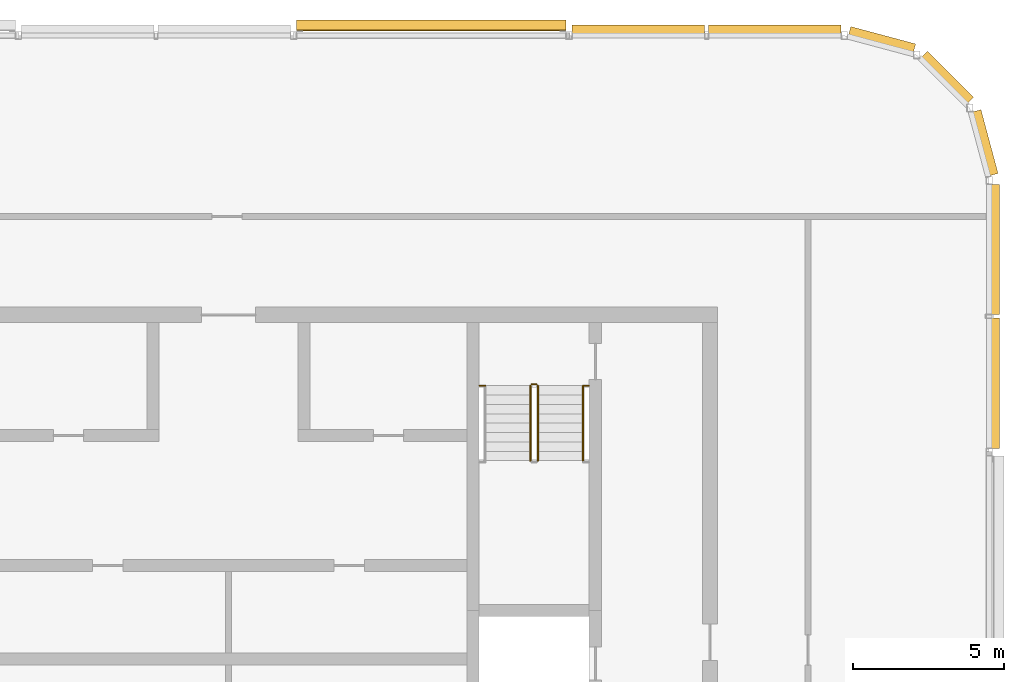
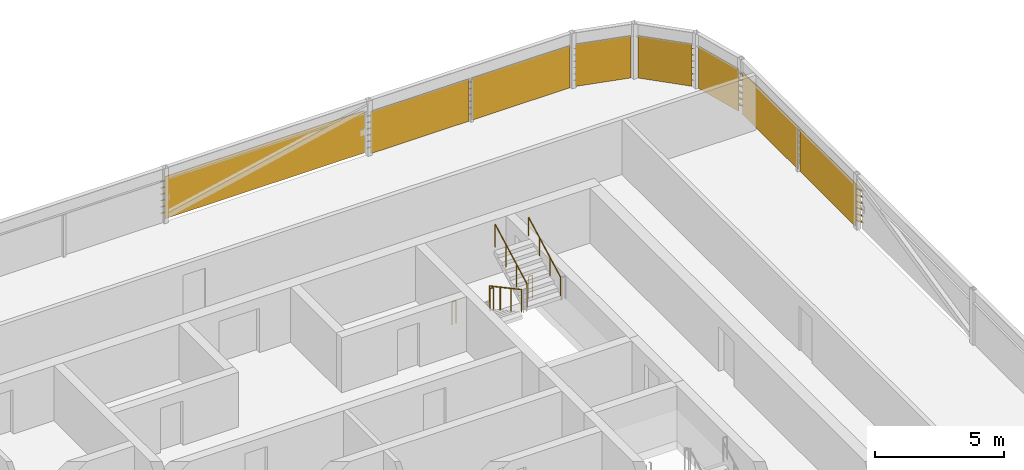
# One storey, part 27 of 27: 8 shading devices, 6 railings.
"""IFC4 building model written with IfcOpenShell, lengths in metres."""

import ifcopenshell
import ifcopenshell.guid

model = None  # the IFC model being written
_history = None  # IfcOwnerHistory: only IFC2X3 demands one
_inside = {}  # id of a spatial element -> (the spatial element, [elements in it])
_under = {}  # id of a project, library or spatial element -> (it, [spatial elements below it])
_declared = {}  # id of a project -> (the project, [libraries it declares])
_typed = {}  # id of a type object -> (the type object, [elements of that type])
_made_of = {}  # id of a material, layer set ... -> (it, [elements and type objects made of it])


def new_model(schema):
    """Start an empty IFC model of exactly this schema.

    Asked for "IFC4X3", IfcOpenShell would pick the latest addendum, in which some entities
    have other attributes; the version numbers below select the first issue.
    IFC2X3 requires an IfcOwnerHistory on every rooted entity: one is made here for all.
    """
    global model, _history
    if schema == "IFC4X3":
        model = ifcopenshell.file(schema_version=(4, 3, 0, 0))
    else:
        model = ifcopenshell.file(schema=schema)
    _inside.clear()
    _under.clear()
    _declared.clear()
    _typed.clear()
    _made_of.clear()
    _history = None
    if model.schema == "IFC2X3":
        org = make("IfcOrganization", Name="unknown")
        user = make(
            "IfcPersonAndOrganization",
            ThePerson=make("IfcPerson", FamilyName="unknown"),
            TheOrganization=org,
        )
        app = make(
            "IfcApplication",
            ApplicationDeveloper=org,
            Version="unknown",
            ApplicationFullName="unknown",
            ApplicationIdentifier="unknown",
        )
        _history = make(
            "IfcOwnerHistory",
            OwningUser=user,
            OwningApplication=app,
            ChangeAction="ADDED",
            CreationDate=0,
        )
    return model


def make(cls, **values):
    """One entity of the class cls with the attributes given. An attribute that is None is left unset."""
    return model.create_entity(
        cls, **{name: value for name, value in values.items() if value is not None}
    )


def rooted(cls, **values):
    """An entity with a GlobalId (a new one), such as an element, a storey or a relation."""
    return make(cls, GlobalId=ifcopenshell.guid.new(), OwnerHistory=_history, **values)


def si_unit(unit_type, name, prefix=None):
    """IfcSIUnit, for example si_unit("LENGTHUNIT", "METRE", prefix="MILLI")."""
    return make("IfcSIUnit", UnitType=unit_type, Prefix=prefix, Name=name)


def assignment(units):
    """IfcUnitAssignment: the units of a project."""
    return None if units is None else make("IfcUnitAssignment", Units=units)


def point(xyz):
    """IfcCartesianPoint."""
    return None if xyz is None else make("IfcCartesianPoint", Coordinates=xyz)


def direction(xyz):
    """IfcDirection."""
    return None if xyz is None else make("IfcDirection", DirectionRatios=xyz)


def frame(location, z_axis=None, x_axis=None):
    """IfcAxis2Placement3D, a coordinate frame: its origin and axes. An axis left out is left unset."""
    return make(
        "IfcAxis2Placement3D",
        Location=point(location),
        Axis=direction(z_axis),
        RefDirection=direction(x_axis),
    )


def frame_2d(location, x_axis=None):
    """IfcAxis2Placement2D, a coordinate frame in the plane: its origin and x axis."""
    return make(
        "IfcAxis2Placement2D", Location=point(location), RefDirection=direction(x_axis)
    )


def origin():
    """The frame at (0, 0, 0) with its axes left unset."""
    return frame((0.0, 0.0, 0.0))


def origin_2d():
    """The frame at (0, 0) in the plane with its x axis left unset."""
    return frame_2d((0.0, 0.0))


def place(relative_to, where):
    """IfcLocalPlacement: puts the frame where relative to a parent placement (None: the world)."""
    return make(
        "IfcLocalPlacement", PlacementRelTo=relative_to, RelativePlacement=where
    )


def context(
    kind, dimensions, precision=None, world=None, true_north=None, identifier=None
):
    """IfcGeometricRepresentationContext, for example the 3D "Model" context."""
    return make(
        "IfcGeometricRepresentationContext",
        ContextIdentifier=identifier,
        ContextType=kind,
        CoordinateSpaceDimension=dimensions,
        Precision=precision,
        WorldCoordinateSystem=world,
        TrueNorth=true_north,
    )


def subcontext(parent, identifier, kind, view, scale=None):
    """IfcGeometricRepresentationSubContext, for example "Body" below "Model"."""
    return make(
        "IfcGeometricRepresentationSubContext",
        ContextIdentifier=identifier,
        ContextType=kind,
        ParentContext=parent,
        TargetScale=scale,
        TargetView=view,
    )


def project(units=None, contexts=None):
    """IfcProject with its units and contexts."""
    return rooted(
        "IfcProject",
        Name="project",
        RepresentationContexts=contexts,
        UnitsInContext=assignment(units),
    )


def spatial(cls, under=None, at=None, **own):
    """A site, building, storey or space (cls), placed at a placement, below another one or the project."""
    s = rooted(cls, ObjectPlacement=at, **own)
    if under is not None:
        _under.setdefault(under.id(), (under, []))[1].append(s)
    return s


def polyline(points):
    """IfcPolyline through the points."""
    return make("IfcPolyline", Points=[point(p) for p in points])


def profile(cls, at=None, kind="AREA", **sizes):
    """A parametric profile (cls). Its sizes go by their IFC names, for example OverallWidth=200.0."""
    return make(cls, ProfileType=kind, Position=at, **sizes)


def circle(**sizes):
    """IfcCircleProfileDef."""
    return profile("IfcCircleProfileDef", **sizes)


def outline(outer, holes=None, kind="AREA"):
    """IfcArbitraryClosedProfileDef: a profile drawn as a closed curve; with holes, ...WithVoids."""
    if holes is None:
        return make("IfcArbitraryClosedProfileDef", ProfileType=kind, OuterCurve=outer)
    return make(
        "IfcArbitraryProfileDefWithVoids",
        ProfileType=kind,
        OuterCurve=outer,
        InnerCurves=holes,
    )


def extrude(swept, where, along, depth):
    """IfcExtrudedAreaSolid: the profile swept, set in the frame where, extruded along a direction by depth."""
    return make(
        "IfcExtrudedAreaSolid",
        SweptArea=swept,
        Position=where,
        ExtrudedDirection=direction(along),
        Depth=depth,
    )


def shape(context_of_items, identifier, shape_type, items):
    """IfcShapeRepresentation: the items that make up one representation, for example the "Body"."""
    return make(
        "IfcShapeRepresentation",
        ContextOfItems=context_of_items,
        RepresentationIdentifier=identifier,
        RepresentationType=shape_type,
        Items=items,
    )


def material(Name=None, Category=None):
    """IfcMaterial."""
    return make("IfcMaterial", Name=Name, Category=Category)


def made_of(thing, what):
    """Note that an element or type object is made of a material, layer set ...; save() writes the relation."""
    if what is not None:
        _made_of.setdefault(what.id(), (what, []))[1].append(thing)
    return thing


def type_object(cls, material=None, **own):
    """A type object (cls), such as IfcWallType, which elements share."""
    return made_of(rooted(cls, **own), material)


def element(
    cls,
    number,
    at=None,
    inside=None,
    cuts=None,
    type_object=None,
    material=None,
    context=None,
    identifier="Body",
    shape_type=None,
    held_by="IfcProductDefinitionShape",
    body=None,
    shapes=None,
    **own,
):
    """One element of the class cls, such as IfcWall. Its Tag is "e" and its number.

    at: its placement. inside: the storey or other place that contains it. cuts: it is an
    opening in that element (IfcRelVoidsElement). A single representation is given by context,
    identifier, shape_type and body (its items); several are given by shapes. held_by: the class
    of the entity that holds the representations. save() writes the other relations.
    """
    e = rooted(cls, Tag="e%d" % number, ObjectPlacement=at, **own)
    if body is not None:
        shapes = [shape(context, identifier, shape_type, body)]
    if shapes is not None:
        e.Representation = make(held_by, Representations=shapes)
    if inside is not None:
        _inside.setdefault(inside.id(), (inside, []))[1].append(e)
    if cuts is not None:
        rooted(
            "IfcRelVoidsElement", RelatingBuildingElement=cuts, RelatedOpeningElement=e
        )
    if type_object is not None:
        _typed.setdefault(type_object.id(), (type_object, []))[1].append(e)
    return made_of(e, material)


def aggregate(whole, parts):
    """IfcRelAggregates: a whole, such as a stair, and the parts it consists of."""
    return rooted("IfcRelAggregates", RelatingObject=whole, RelatedObjects=parts)


def save(model, path):
    """Write the relations noted so far, then the file.

    IfcRelAggregates (storeys below a building ...), IfcRelContainedInSpatialStructure (elements
    in a storey), IfcRelDefinesByType, IfcRelAssociatesMaterial and IfcRelDeclares: one each for
    every whole, place, type object, material and project.
    """
    for whole, parts in _under.values():
        aggregate(whole, parts)
    for where, things in _inside.values():
        rooted(
            "IfcRelContainedInSpatialStructure",
            RelatedElements=things,
            RelatingStructure=where,
        )
    for kind, things in _typed.values():
        rooted("IfcRelDefinesByType", RelatedObjects=things, RelatingType=kind)
    for what, things in _made_of.values():
        rooted("IfcRelAssociatesMaterial", RelatedObjects=things, RelatingMaterial=what)
    for by, libraries in _declared.values():
        rooted("IfcRelDeclares", RelatingContext=by, RelatedDefinitions=libraries)
    model.write(path)


model = new_model("IFC4")

# Units and contexts
model_context = context("Model", 3, precision=1e-05, world=origin(), true_north=direction((0.0, 1.0)))
body_context = subcontext(model_context, "Body", "Model", "MODEL_VIEW")
ifc_project = project(units=[si_unit("LENGTHUNIT", "METRE"), si_unit("AREAUNIT", "SQUARE_METRE"), si_unit("VOLUMEUNIT", "CUBIC_METRE"), si_unit("PLANEANGLEUNIT", "RADIAN"), si_unit("MASSUNIT", "GRAM", prefix="KILO")], contexts=[model_context])

# Site, building, storey
site_placement = place(None, origin())
site = spatial("IfcSite", under=ifc_project, at=site_placement, CompositionType="ELEMENT")
building_placement = place(site_placement, origin())
building = spatial("IfcBuilding", under=site, at=building_placement, Name="Madar Terraces", CompositionType="ELEMENT")
storey_placement = place(building_placement, frame((0.0, 0.0, 314.300048828125)))
storey = spatial("IfcBuildingStorey", under=building, at=storey_placement, Name="L81", CompositionType="ELEMENT", Elevation=314.300048828125)

# Shading devices
ifc_material_1 = material(Name="Aluminium, black anodised", Category="aluminium")
shading_device_type = type_object("IfcShadingDeviceType", Name="Crown louvre bank", PredefinedType="USERDEFINED", material=ifc_material_1)
for number, where, z_axis, x_axis, name in (
    (1, (56.39990234375, 33.126953125, 0.0), (0.0, 1.0, 0.0), (-1.0, 0.0, 0.0), "LOUVRE bank L81 12.1"),
    (2, (56.39990234375, 37.5634765625, 0.0), (0.0, 1.0, 0.0), (-1.0, 0.0, 0.0), "LOUVRE bank L81 12.2"),
):
    element("IfcShadingDevice", number, at=place(storey_placement, frame(where, z_axis=z_axis, x_axis=x_axis)), inside=storey, type_object=shading_device_type, Name=name, ObjectType="LOUVRE", PredefinedType="USERDEFINED", context=body_context, shape_type="SweptSolid", body=[
        extrude(outline(polyline([(0.014892578125, 0.0), (-0.014892578125, 0.0), (-0.014892578125, 0.24951171875), (-0.3427734375, 0.02001953125), (-0.3427734375, 0.06884765625), (-0.014892578125, 0.29833984375), (-0.014892578125, 0.54931640625), (-0.3427734375, 0.320068359375), (-0.3427734375, 0.368896484375), (-0.014892578125, 0.59814453125), (-0.014892578125, 0.849365234375), (-0.3427734375, 0.6201171875), (-0.3427734375, 0.6689453125), (-0.014892578125, 0.898193359375), (-0.014892578125, 1.1494140625), (-0.3427734375, 0.919921875), (-0.3427734375, 0.96875), (-0.014892578125, 1.1982421875), (-0.014892578125, 1.449462890625), (-0.3427734375, 1.219970703125), (-0.3427734375, 1.268798828125), (-0.014892578125, 1.498291015625), (-0.014892578125, 1.74951171875), (-0.3427734375, 1.52001953125), (-0.3427734375, 1.56884765625), (-0.014892578125, 1.79833984375), (-0.014892578125, 1.998046875), (0.014892578125, 1.998046875), (0.014892578125, 0.0)])), origin(), (0.0, 0.0, 1.0), 4.3095703125),
    ])
shading_device_1_placement = place(storey_placement, frame((56.361328125, 42.143798828125, 0.0), z_axis=(-0.258788169352, 0.965934098893, 0.0), x_axis=(-0.965934098893, -0.258788169352, 0.0)))
element("IfcShadingDevice", 3, at=shading_device_1_placement, inside=storey, type_object=shading_device_type, Name="LOUVRE bank L81 13.1", ObjectType="LOUVRE", PredefinedType="USERDEFINED", context=body_context, shape_type="SweptSolid", body=[
    extrude(outline(polyline([(0.014892578125, 0.0), (-0.014892578125, 0.0), (-0.014892578125, 0.24951171875), (-0.3427734375, 0.02001953125), (-0.3427734375, 0.06884765625), (-0.014892578125, 0.29833984375), (-0.014892578125, 0.54931640625), (-0.3427734375, 0.320068359375), (-0.3427734375, 0.368896484375), (-0.014892578125, 0.59814453125), (-0.014892578125, 0.849365234375), (-0.3427734375, 0.6201171875), (-0.3427734375, 0.6689453125), (-0.014892578125, 0.898193359375), (-0.014892578125, 1.1494140625), (-0.3427734375, 0.919921875), (-0.3427734375, 0.96875), (-0.014892578125, 1.1982421875), (-0.014892578125, 1.449462890625), (-0.3427734375, 1.219970703125), (-0.3427734375, 1.268798828125), (-0.014892578125, 1.498291015625), (-0.014892578125, 1.74951171875), (-0.3427734375, 1.52001953125), (-0.3427734375, 1.56884765625), (-0.014892578125, 1.79833984375), (-0.014892578125, 1.998046875), (0.014892578125, 1.998046875), (0.014892578125, 0.0)])), origin(), (0.0, 0.0, 1.0), 2.186767578125),
])
shading_device_2_placement = place(storey_placement, frame((55.642578125, 44.514404296875, 0.0), z_axis=(-0.707106781187, 0.707106781187, 0.0), x_axis=(-0.707106781187, -0.707106781187, 0.0)))
element("IfcShadingDevice", 4, at=shading_device_2_placement, inside=storey, type_object=shading_device_type, Name="LOUVRE bank L81 14.1", ObjectType="LOUVRE", PredefinedType="USERDEFINED", context=body_context, shape_type="SweptSolid", body=[
    extrude(outline(polyline([(0.014892578125, 0.0), (-0.014892578125, 0.0), (-0.014892578125, 0.24951171875), (-0.3427734375, 0.02001953125), (-0.3427734375, 0.06884765625), (-0.014892578125, 0.29833984375), (-0.014892578125, 0.54931640625), (-0.3427734375, 0.320068359375), (-0.3427734375, 0.368896484375), (-0.014892578125, 0.59814453125), (-0.014892578125, 0.849365234375), (-0.3427734375, 0.6201171875), (-0.3427734375, 0.6689453125), (-0.014892578125, 0.898193359375), (-0.014892578125, 1.1494140625), (-0.3427734375, 0.919921875), (-0.3427734375, 0.96875), (-0.014892578125, 1.1982421875), (-0.014892578125, 1.449462890625), (-0.3427734375, 1.219970703125), (-0.3427734375, 1.268798828125), (-0.014892578125, 1.498291015625), (-0.014892578125, 1.74951171875), (-0.3427734375, 1.52001953125), (-0.3427734375, 1.56884765625), (-0.014892578125, 1.79833984375), (-0.014892578125, 1.998046875), (0.014892578125, 1.998046875), (0.014892578125, 0.0)])), origin(), (0.0, 0.0, 1.0), 2.161376953125),
])
shading_device_3_placement = place(storey_placement, frame((53.87353515625, 46.19091796875, 0.0), z_axis=(-0.965935304808, 0.258783668197, 0.0), x_axis=(-0.258783668197, -0.965935304808, 0.0)))
element("IfcShadingDevice", 5, at=shading_device_3_placement, inside=storey, type_object=shading_device_type, Name="LOUVRE bank L81 15.1", ObjectType="LOUVRE", PredefinedType="USERDEFINED", context=body_context, shape_type="SweptSolid", body=[
    extrude(outline(polyline([(0.014892578125, 0.0), (-0.014892578125, 0.0), (-0.014892578125, 0.24951171875), (-0.3427734375, 0.02001953125), (-0.3427734375, 0.06884765625), (-0.014892578125, 0.29833984375), (-0.014892578125, 0.54931640625), (-0.3427734375, 0.320068359375), (-0.3427734375, 0.368896484375), (-0.014892578125, 0.59814453125), (-0.014892578125, 0.849365234375), (-0.3427734375, 0.6201171875), (-0.3427734375, 0.6689453125), (-0.014892578125, 0.898193359375), (-0.014892578125, 1.1494140625), (-0.3427734375, 0.919921875), (-0.3427734375, 0.96875), (-0.014892578125, 1.1982421875), (-0.014892578125, 1.449462890625), (-0.3427734375, 1.219970703125), (-0.3427734375, 1.268798828125), (-0.014892578125, 1.498291015625), (-0.014892578125, 1.74951171875), (-0.3427734375, 1.52001953125), (-0.3427734375, 1.56884765625), (-0.014892578125, 1.79833984375), (-0.014892578125, 1.998046875), (0.014892578125, 1.998046875), (0.014892578125, 0.0)])), origin(), (0.0, 0.0, 1.0), 2.22265625),
])
shading_device_4_placement = place(storey_placement, frame((51.498291015625, 46.800048828125, 0.0), z_axis=(-1.0, 0.0, 0.0), x_axis=(0.0, -1.0, 0.0)))
element("IfcShadingDevice", 6, at=shading_device_4_placement, inside=storey, type_object=shading_device_type, Name="LOUVRE bank L81 16.1", ObjectType="LOUVRE", PredefinedType="USERDEFINED", context=body_context, shape_type="SweptSolid", body=[
    extrude(outline(polyline([(0.014892578125, 0.0), (-0.014892578125, 0.0), (-0.014892578125, 0.24951171875), (-0.3427734375, 0.02001953125), (-0.3427734375, 0.06884765625), (-0.014892578125, 0.29833984375), (-0.014892578125, 0.54931640625), (-0.3427734375, 0.320068359375), (-0.3427734375, 0.368896484375), (-0.014892578125, 0.59814453125), (-0.014892578125, 0.849365234375), (-0.3427734375, 0.6201171875), (-0.3427734375, 0.6689453125), (-0.014892578125, 0.898193359375), (-0.014892578125, 1.1494140625), (-0.3427734375, 0.919921875), (-0.3427734375, 0.96875), (-0.014892578125, 1.1982421875), (-0.014892578125, 1.449462890625), (-0.3427734375, 1.219970703125), (-0.3427734375, 1.268798828125), (-0.014892578125, 1.498291015625), (-0.014892578125, 1.74951171875), (-0.3427734375, 1.52001953125), (-0.3427734375, 1.56884765625), (-0.014892578125, 1.79833984375), (-0.014892578125, 1.998046875), (0.014892578125, 1.998046875), (0.014892578125, 0.0)])), origin(), (0.0, 0.0, 1.0), 4.394775390625),
])
shading_device_5_placement = place(storey_placement, frame((46.9765625, 46.800048828125, 0.0), z_axis=(-1.0, 0.0, 0.0), x_axis=(0.0, -1.0, 0.0)))
element("IfcShadingDevice", 7, at=shading_device_5_placement, inside=storey, type_object=shading_device_type, Name="LOUVRE bank L81 16.2", ObjectType="LOUVRE", PredefinedType="USERDEFINED", context=body_context, shape_type="SweptSolid", body=[
    extrude(outline(polyline([(0.014892578125, 0.0), (-0.014892578125, 0.0), (-0.014892578125, 0.24951171875), (-0.3427734375, 0.02001953125), (-0.3427734375, 0.06884765625), (-0.014892578125, 0.29833984375), (-0.014892578125, 0.54931640625), (-0.3427734375, 0.320068359375), (-0.3427734375, 0.368896484375), (-0.014892578125, 0.59814453125), (-0.014892578125, 0.849365234375), (-0.3427734375, 0.6201171875), (-0.3427734375, 0.6689453125), (-0.014892578125, 0.898193359375), (-0.014892578125, 1.1494140625), (-0.3427734375, 0.919921875), (-0.3427734375, 0.96875), (-0.014892578125, 1.1982421875), (-0.014892578125, 1.449462890625), (-0.3427734375, 1.219970703125), (-0.3427734375, 1.268798828125), (-0.014892578125, 1.498291015625), (-0.014892578125, 1.74951171875), (-0.3427734375, 1.52001953125), (-0.3427734375, 1.56884765625), (-0.014892578125, 1.79833984375), (-0.014892578125, 1.998046875), (0.014892578125, 1.998046875), (0.014892578125, 0.0)])), origin(), (0.0, 0.0, 1.0), 4.39501953125),
])
shading_device_6_placement = place(storey_placement, frame((42.37841796875, 46.800048828125, 0.0), z_axis=(-1.0, 0.0, 0.0), x_axis=(0.0, -1.0, 0.0)))
element("IfcShadingDevice", 8, at=shading_device_6_placement, inside=storey, type_object=shading_device_type, Name="LOUVRE bank L81 17.1", ObjectType="LOUVRE", PredefinedType="USERDEFINED", context=body_context, shape_type="SweptSolid", body=[
    extrude(outline(polyline([(-0.156982421875, 0.0), (-0.18701171875, 0.0), (-0.18701171875, 0.24951171875), (-0.5146484375, 0.02001953125), (-0.5146484375, 0.06884765625), (-0.18701171875, 0.29833984375), (-0.18701171875, 0.54931640625), (-0.5146484375, 0.320068359375), (-0.5146484375, 0.368896484375), (-0.18701171875, 0.59814453125), (-0.18701171875, 0.849365234375), (-0.5146484375, 0.6201171875), (-0.5146484375, 0.6689453125), (-0.18701171875, 0.898193359375), (-0.18701171875, 1.1494140625), (-0.5146484375, 0.919921875), (-0.5146484375, 0.96875), (-0.18701171875, 1.1982421875), (-0.18701171875, 1.449462890625), (-0.5146484375, 1.219970703125), (-0.5146484375, 1.268798828125), (-0.18701171875, 1.498291015625), (-0.18701171875, 1.74951171875), (-0.5146484375, 1.52001953125), (-0.5146484375, 1.56884765625), (-0.18701171875, 1.79833984375), (-0.18701171875, 1.998046875), (-0.156982421875, 1.998046875), (-0.156982421875, 0.0)])), origin(), (0.0, 0.0, 1.0), 8.916748046875),
])

# Railings
ifc_material_2 = material(Name="Stainless steel railing", Category="steel")
railing_type_1 = type_object("IfcRailingType", Name="Stair guard 1100", PredefinedType="GUARDRAIL", material=ifc_material_2)
railing_1_placement = place(storey_placement, frame((41.199951171875, 35.199951171875, 0.16650390625)))
element("IfcRailing", 9, at=railing_1_placement, inside=storey, type_object=railing_type_1, Name="L81 ST2 stair guard 1", PredefinedType="GUARDRAIL", context=body_context, shape_type="SweptSolid", body=[
    extrude(circle(Radius=0.02392578125, at=origin_2d()), frame((0.0, 0.0, 1.076171875), z_axis=(0.0, -0.880749358647, 0.473582693141), x_axis=(1.0, 0.0, 0.0)), (0.0, 0.0, 1.0), 2.815673828125),
    extrude(circle(Radius=0.02099609375, at=origin_2d()), origin(), (0.0, 0.0, 1.0), 1.052001953125),
    extrude(circle(Radius=0.02099609375, at=origin_2d()), frame((0.0, -0.82666015625, 0.444580078125)), (0.0, 0.0, 1.0), 1.052001953125),
    extrude(circle(Radius=0.02099609375, at=origin_2d()), frame((0.0, -1.6533203125, 0.888916015625)), (0.0, 0.0, 1.0), 1.052001953125),
    extrude(circle(Radius=0.02099609375, at=origin_2d()), frame((0.0, -2.47998046875, 1.33349609375)), (0.0, 0.0, 1.0), 1.052001953125),
])
railing_2_placement = place(storey_placement, frame((41.449951171875, 32.719970703125, 1.66650390625)))
element("IfcRailing", 10, at=railing_2_placement, inside=storey, type_object=railing_type_1, Name="L81 ST2 stair guard 3", PredefinedType="GUARDRAIL", context=body_context, shape_type="SweptSolid", body=[
    extrude(circle(Radius=0.02392578125, at=origin_2d()), frame((0.0, 0.0, 1.076171875), z_axis=(0.0, 0.880749358647, 0.473582693141), x_axis=(-1.0, 0.0, 0.0)), (0.0, 0.0, 1.0), 2.815673828125),
    extrude(circle(Radius=0.02099609375, at=origin_2d()), origin(), (0.0, 0.0, 1.0), 1.052001953125),
    extrude(circle(Radius=0.02099609375, at=origin_2d()), frame((0.0, 0.82666015625, 0.444580078125)), (0.0, 0.0, 1.0), 1.052001953125),
    extrude(circle(Radius=0.02099609375, at=origin_2d()), frame((0.0, 1.6533203125, 0.888916015625)), (0.0, 0.0, 1.0), 1.052001953125),
    extrude(circle(Radius=0.02099609375, at=origin_2d()), frame((0.0, 2.47998046875, 1.33349609375)), (0.0, 0.0, 1.0), 1.052001953125),
])
railing_3_placement = place(storey_placement, frame((41.25, 35.25, 0.0)))
element("IfcRailing", 11, at=railing_3_placement, inside=storey, type_object=railing_type_1, Name="L81 ST2 stair guard 4", PredefinedType="GUARDRAIL", context=body_context, shape_type="SweptSolid", body=[
    extrude(circle(Radius=0.02392578125, at=origin_2d()), frame((0.0, 0.0, 1.076171875), z_axis=(1.0, 0.0, 0.0), x_axis=(0.0, 1.0, 0.0)), (0.0, 0.0, 1.0), 0.14990234375),
    extrude(circle(Radius=0.02099609375, at=origin_2d()), origin(), (0.0, 0.0, 1.0), 1.052001953125),
    extrude(circle(Radius=0.02099609375, at=origin_2d()), frame((0.14990234375, 0.0, 0.0)), (0.0, 0.0, 1.0), 1.052001953125),
])
for number, where, name in (
    (12, (39.52001953125, 35.199951171875, 0.0), "L81 stair guard floor 1"),
    (13, (42.949951171875, 35.199951171875, 0.0), "L81 stair guard floor 2"),
):
    element("IfcRailing", number, at=place(storey_placement, frame(where)), inside=storey, type_object=railing_type_1, Name=name, PredefinedType="GUARDRAIL", context=body_context, shape_type="SweptSolid", body=[
        extrude(circle(Radius=0.02392578125, at=origin_2d()), frame((0.0, 0.0, 1.076171875), z_axis=(1.0, 0.0, 0.0), x_axis=(0.0, 1.0, 0.0)), (0.0, 0.0, 1.0), 0.179931640625),
        extrude(circle(Radius=0.02099609375, at=origin_2d()), origin(), (0.0, 0.0, 1.0), 1.052001953125),
        extrude(circle(Radius=0.02099609375, at=origin_2d()), frame((0.179931640625, 0.0, 0.0)), (0.0, 0.0, 1.0), 1.052001953125),
    ])
ifc_material_3 = material(Name="Stainless steel railing", Category="steel")
railing_type_2 = type_object("IfcRailingType", Name="Stair handrail 900", PredefinedType="HANDRAIL", material=ifc_material_3)
railing_4_placement = place(storey_placement, frame((42.949951171875, 32.719970703125, 1.66650390625)))
element("IfcRailing", 14, at=railing_4_placement, inside=storey, type_object=railing_type_2, Name="L81 ST2 stair handrail 2", PredefinedType="HANDRAIL", context=body_context, shape_type="SweptSolid", body=[
    extrude(circle(Radius=0.02392578125, at=origin_2d()), frame((0.0, 0.0, 0.8759765625), z_axis=(0.0, 0.880749358647, 0.473582693141), x_axis=(-1.0, 0.0, 0.0)), (0.0, 0.0, 1.0), 2.815673828125),
    extrude(circle(Radius=0.02099609375, at=origin_2d()), origin(), (0.0, 0.0, 1.0), 0.851806640625),
    extrude(circle(Radius=0.02099609375, at=origin_2d()), frame((0.0, 0.82666015625, 0.444580078125)), (0.0, 0.0, 1.0), 0.851806640625),
    extrude(circle(Radius=0.02099609375, at=origin_2d()), frame((0.0, 1.6533203125, 0.888916015625)), (0.0, 0.0, 1.0), 0.851806640625),
    extrude(circle(Radius=0.02099609375, at=origin_2d()), frame((0.0, 2.47998046875, 1.33349609375)), (0.0, 0.0, 1.0), 0.851806640625),
])

save(model, "model.ifc")
